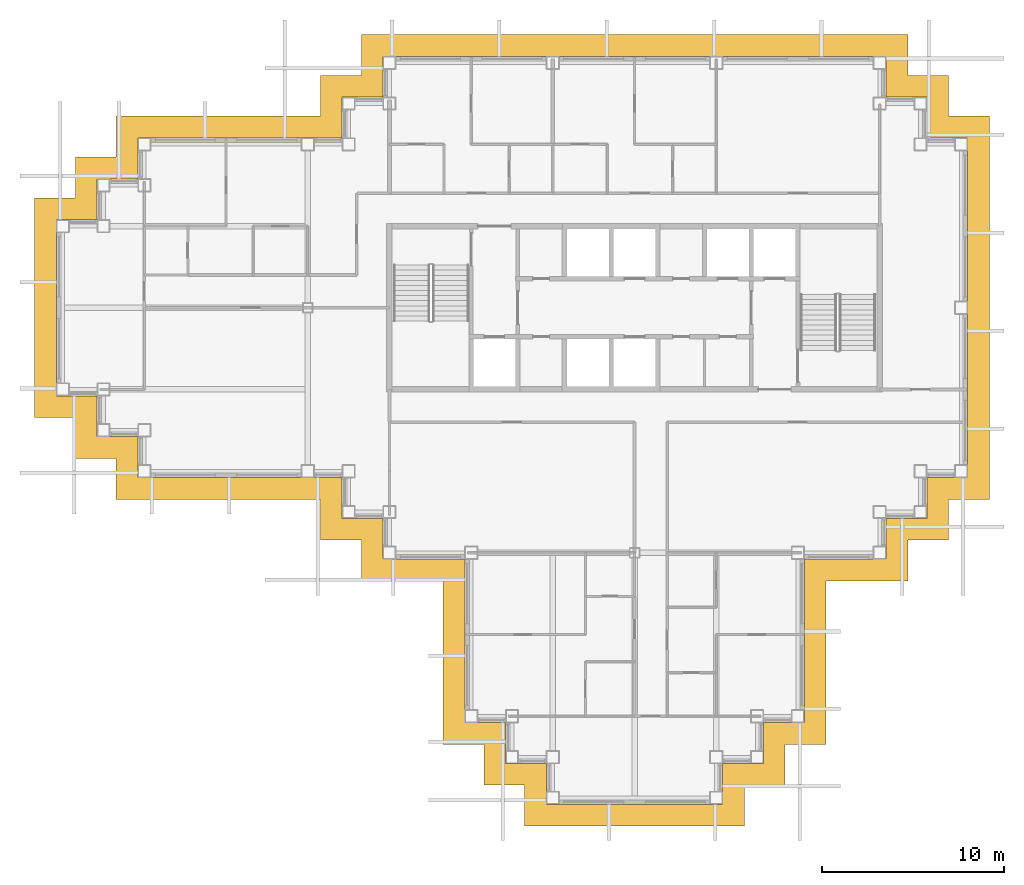
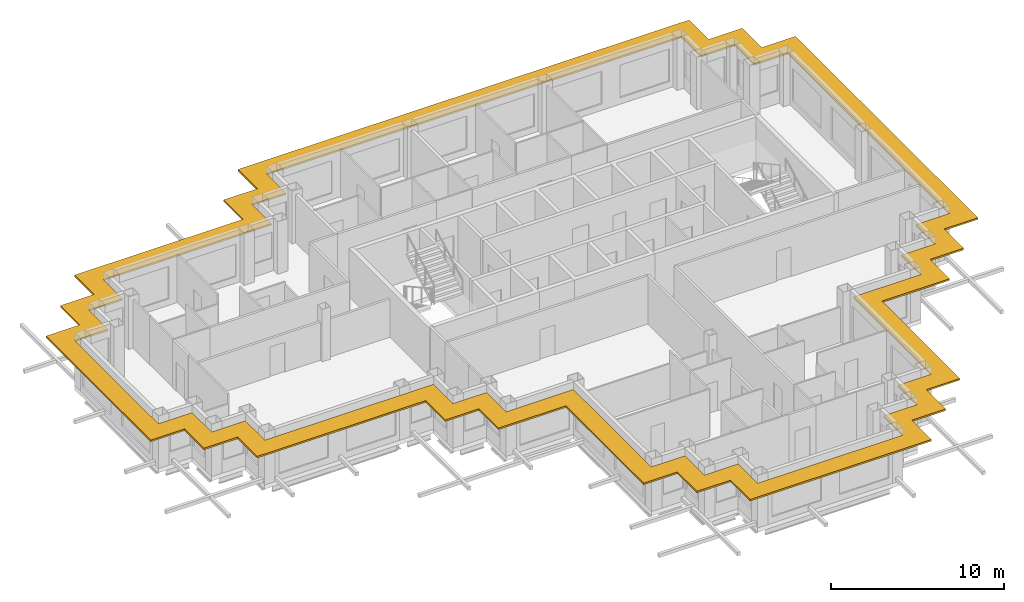
# One storey, part 11 of 12: 1 shading device.
"""IFC4 building model written with IfcOpenShell, lengths in metres."""

from ifc_helpers import new_model, si_unit, direction, frame, origin, place, context, subcontext, project, spatial, polyline, outline, extrude, material, layer, layer_set, type_object, element, save


model = new_model("IFC4")

# Units and contexts
model_context = context("Model", 3, precision=1e-05, world=origin(), true_north=direction((0.0, 1.0)))
body_context = subcontext(model_context, "Body", "Model", "MODEL_VIEW")
ifc_project = project(units=[si_unit("LENGTHUNIT", "METRE"), si_unit("AREAUNIT", "SQUARE_METRE"), si_unit("VOLUMEUNIT", "CUBIC_METRE"), si_unit("PLANEANGLEUNIT", "RADIAN"), si_unit("MASSUNIT", "GRAM", prefix="KILO")], contexts=[model_context])

# Site, building, storey
site_placement = place(None, origin())
site = spatial("IfcSite", under=ifc_project, at=site_placement, CompositionType="ELEMENT")
building_placement = place(site_placement, origin())
building = spatial("IfcBuilding", under=site, at=building_placement, Name="Caravel Reach Hotel and Residences", CompositionType="ELEMENT")
storey_placement = place(building_placement, frame((0.0, 0.0, 203.5)))
storey = spatial("IfcBuildingStorey", under=building, at=storey_placement, Name="L51", CompositionType="ELEMENT", Elevation=203.5)

# Shading device
ifc_material = material(Name="Black powder-coated aluminium", Category="aluminium")
ifc_layer = layer(ifc_material, 0.1201171875)
ifc_layer_set = layer_set([ifc_layer], Name="SS1 Sunshade band 1200")
shading_device_type = type_object("IfcShadingDeviceType", Name="SS1 Sunshade band 1200", PredefinedType="USERDEFINED", material=ifc_layer_set)
shading_device_placement = place(storey_placement, frame((0.0, 0.0, 3.0400390625)))
element("IfcShadingDevice", 1, at=shading_device_placement, inside=storey, type_object=shading_device_type, Name="Sunshade L51 1", ObjectType="SUNSHADE", PredefinedType="USERDEFINED", context=body_context, shape_type="SweptSolid", body=[
    extrude(outline(polyline([(42.050048828125, 2.949951171875), (42.050048828125, 11.949951171875), (46.550048828125, 11.949951171875), (46.550048828125, 14.199951171875), (48.800048828125, 14.199951171875), (48.800048828125, 16.449951171875), (51.050048828125, 16.449951171875), (51.050048828125, 37.550048828125), (48.800048828125, 37.550048828125), (48.800048828125, 39.800048828125), (46.550048828125, 39.800048828125), (46.550048828125, 42.050048828125), (16.449951171875, 42.050048828125), (16.449951171875, 39.800048828125), (14.199951171875, 39.800048828125), (14.199951171875, 37.550048828125), (2.949951171875, 37.550048828125), (2.949951171875, 35.300048828125), (0.699951171875, 35.300048828125), (0.699951171875, 33.050048828125), (-1.550048828125, 33.050048828125), (-1.550048828125, 20.949951171875), (0.699951171875, 20.949951171875), (0.699951171875, 18.699951171875), (2.949951171875, 18.699951171875), (2.949951171875, 16.449951171875), (14.199951171875, 16.449951171875), (14.199951171875, 14.199951171875), (16.449951171875, 14.199951171875), (16.449951171875, 11.949951171875), (20.949951171875, 11.949951171875), (20.949951171875, 2.949951171875), (23.199951171875, 2.949951171875), (23.199951171875, 0.699951171875), (25.449951171875, 0.699951171875), (25.449951171875, -1.550048828125), (37.550048828125, -1.550048828125), (37.550048828125, 0.699951171875), (39.800048828125, 0.699951171875), (39.800048828125, 2.949951171875), (42.050048828125, 2.949951171875)]), holes=[polyline([(45.35009765625, 13.14990234375), (40.85009765625, 13.14990234375), (40.85009765625, 4.14990234375), (38.60009765625, 4.14990234375), (38.60009765625, 1.89990234375), (36.35009765625, 1.89990234375), (36.35009765625, -0.35009765625), (26.64990234375, -0.35009765625), (26.64990234375, 1.89990234375), (24.39990234375, 1.89990234375), (24.39990234375, 4.14990234375), (22.14990234375, 4.14990234375), (22.14990234375, 13.14990234375), (17.64990234375, 13.14990234375), (17.64990234375, 15.39990234375), (15.39990234375, 15.39990234375), (15.39990234375, 17.64990234375), (4.14990234375, 17.64990234375), (4.14990234375, 19.89990234375), (1.89990234375, 19.89990234375), (1.89990234375, 22.14990234375), (-0.35009765625, 22.14990234375), (-0.35009765625, 31.85009765625), (1.89990234375, 31.85009765625), (1.89990234375, 34.10009765625), (4.14990234375, 34.10009765625), (4.14990234375, 36.35009765625), (15.39990234375, 36.35009765625), (15.39990234375, 38.60009765625), (17.64990234375, 38.60009765625), (17.64990234375, 40.85009765625), (45.35009765625, 40.85009765625), (45.35009765625, 38.60009765625), (47.60009765625, 38.60009765625), (47.60009765625, 36.35009765625), (49.85009765625, 36.35009765625), (49.85009765625, 17.64990234375), (47.60009765625, 17.64990234375), (47.60009765625, 15.39990234375), (45.35009765625, 15.39990234375), (45.35009765625, 13.14990234375)])]), origin(), (0.0, 0.0, 1.0), 0.119873046875),
])

save(model, "model.ifc")
